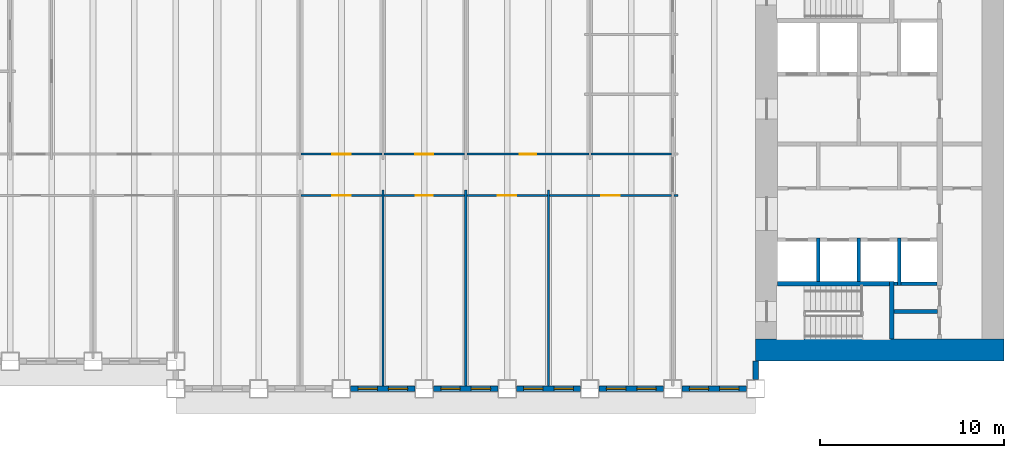
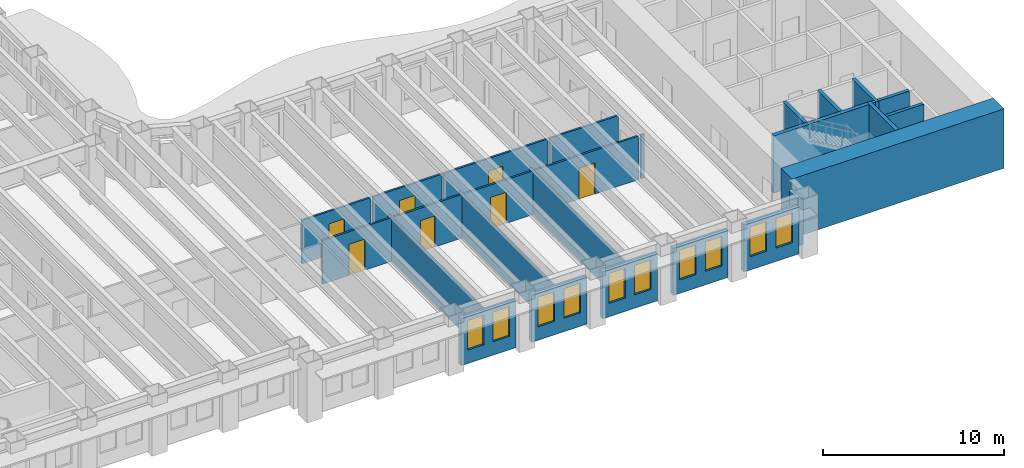
# One storey, part 5 of 16: 27 walls, 10 windows, 7 doors, 17 openings.
"""IFC4 building model written with IfcOpenShell, lengths in metres."""

from ifc_helpers import new_model, si_unit, direction, frame, frame_2d, origin, place, context, subcontext, project, spatial, rectangle, extrude, material, layer, layer_set, type_object, element, fill, save


model = new_model("IFC4")

# Units and contexts
model_context = context("Model", 3, precision=1e-05, world=origin(), true_north=direction((0.0, 1.0)))
body_context = subcontext(model_context, "Body", "Model", "MODEL_VIEW")
ifc_project = project(units=[si_unit("LENGTHUNIT", "METRE"), si_unit("AREAUNIT", "SQUARE_METRE"), si_unit("VOLUMEUNIT", "CUBIC_METRE"), si_unit("PLANEANGLEUNIT", "RADIAN"), si_unit("MASSUNIT", "GRAM", prefix="KILO")], contexts=[model_context])

# Site, building, storey
site_placement = place(None, origin())
site = spatial("IfcSite", under=ifc_project, at=site_placement, CompositionType="ELEMENT")
building_placement = place(site_placement, origin())
building = spatial("IfcBuilding", under=site, at=building_placement, Name="Sennacour Bend Tower", CompositionType="ELEMENT")
storey_placement = place(building_placement, frame((0.0, 0.0, 99.0)))
storey = spatial("IfcBuildingStorey", under=building, at=storey_placement, Name="L22", CompositionType="ELEMENT", Elevation=99.0)

# Walls
ifc_material_1 = material(Name="Concrete C80/95", Category="concrete")
ifc_layer_1 = layer(ifc_material_1, 1.199951171875, Name="Concrete C80/95", Category="concrete")
ifc_layer_set_1 = layer_set([ifc_layer_1], Name="Concrete C80/95")
wall_type_1 = type_object("IfcWallType", Name="Core wall 1200 C80/95", PredefinedType="SHEAR", material=ifc_layer_set_1)
wall_1_placement = place(storey_placement, frame((67.5, 0.60009765625, -0.14990234375), z_axis=(0.0, 0.0, 1.0), x_axis=(-1.0, 0.0, 0.0)))
element("IfcWall", 1, at=wall_1_placement, inside=storey, type_object=wall_type_1, Name="Core A wall L22 S", PredefinedType="SHEAR", context=body_context, shape_type="SweptSolid", body=[
    extrude(rectangle(XDim=13.5, YDim=1.199951171875, at=frame_2d((6.75, 0.0))), origin(), (0.0, 0.0, 1.0), 4.0),
])
ifc_material_2 = material(Name="Plasterboard partition on steel studs", Category="steel")
ifc_layer_2 = layer(ifc_material_2, 0.1201171875, Name="Plasterboard partition on steel studs", Category="steel")
ifc_layer_set_2 = layer_set([ifc_layer_2], Name="Plasterboard partition on steel studs")
wall_type_2 = type_object("IfcWallType", Name="Partition 120", PredefinedType="PARTITIONING", material=ifc_layer_set_2)
for number, where, z_axis, x_axis, name in (
    (2, (33.75, -1.35009765625, 0.0), (0.0, 0.0, 1.0), (0.0, 1.0, 0.0), "P-L22-W027a"),
    (3, (38.25, -1.35009765625, 0.0), (0.0, 0.0, 1.0), (0.0, 1.0, 0.0), "P-L22-W029a"),
    (4, (42.75, -1.35009765625, 0.0), (0.0, 0.0, 1.0), (0.0, 1.0, 0.0), "P-L22-W031a"),
):
    element("IfcWall", number, at=place(storey_placement, frame(where, z_axis=z_axis, x_axis=x_axis)), inside=storey, type_object=wall_type_2, Name=name, PredefinedType="PARTITIONING", context=body_context, shape_type="SweptSolid", body=[
        extrude(rectangle(XDim=10.650146484375, YDim=0.1201171875, at=frame_2d((5.3251953125, 0.0))), origin(), (0.0, 0.0, 1.0), 2.93798828125),
    ])

# Wall, opening, door
wall_2_placement = place(storey_placement, frame((29.31005859375, 9.0, 0.0), z_axis=(0.0, 0.0, 1.0), x_axis=(1.0, 0.0, 0.0)))
wall_2 = element("IfcWall", 5, at=wall_2_placement, inside=storey, type_object=wall_type_2, Name="P-L22-W058ae", PredefinedType="PARTITIONING", context=body_context, shape_type="SweptSolid", body=[
    extrude(rectangle(XDim=4.3798828125, YDim=0.1201171875, at=frame_2d((2.18994140625, 0.0))), origin(), (0.0, 0.0, 1.0), 2.93798828125),
])
opening_1_placement = place(wall_2_placement, frame((1.68994140625, 0.0, 0.0)))
opening_1 = element("IfcOpeningElement", 6, at=opening_1_placement, cuts=wall_2, Name="Opening MD2", PredefinedType="OPENING", context=body_context, shape_type="SweptSolid", body=[
    extrude(rectangle(XDim=1.0, YDim=2.10009765625, at=frame_2d((0.5, 1.050048828125))), frame((0.0, 0.070068359375, 0.0), z_axis=(0.0, -1.0, 0.0), x_axis=(1.0, 0.0, 0.0)), (0.0, 0.0, 1.0), 0.14013671875),
])
ifc_material_3 = material(Name="Timber", Category="wood")
door_type_1 = type_object("IfcDoorType", Name="DR-MEETING-1000", OperationType="NOTDEFINED", PredefinedType="DOOR", material=ifc_material_3)
door_1_placement = place(opening_1_placement, origin())
door_1 = element("IfcDoor", 7, at=door_1_placement, inside=storey, type_object=door_type_1, Name="Door", OperationType="SINGLE_SWING_LEFT", OverallHeight=2.10009765625, OverallWidth=1.0, PredefinedType="DOOR", context=body_context, shape_type="SweptSolid", body=[
    extrude(rectangle(XDim=1.0, YDim=2.10009765625, at=frame_2d((0.5, 1.050048828125))), frame((0.0, 0.02490234375, 0.0), z_axis=(0.0, -1.0, 0.0), x_axis=(1.0, 0.0, 0.0)), (0.0, 0.0, 1.0), 0.050048828125),
])
fill(opening_1, door_1)

wall_3_placement = place(storey_placement, frame((38.31005859375, 9.0, 0.0), z_axis=(0.0, 0.0, 1.0), x_axis=(1.0, 0.0, 0.0)))
wall_3 = element("IfcWall", 8, at=wall_3_placement, inside=storey, type_object=wall_type_2, Name="P-L22-W058ag", PredefinedType="PARTITIONING", context=body_context, shape_type="SweptSolid", body=[
    extrude(rectangle(XDim=4.3798828125, YDim=0.1201171875, at=frame_2d((2.18994140625, 0.0))), origin(), (0.0, 0.0, 1.0), 2.93798828125),
])
opening_2_placement = place(wall_3_placement, frame((1.68994140625, 0.0, 0.0)))
opening_2 = element("IfcOpeningElement", 9, at=opening_2_placement, cuts=wall_3, Name="Opening OD2", PredefinedType="OPENING", context=body_context, shape_type="SweptSolid", body=[
    extrude(rectangle(XDim=1.0, YDim=2.10009765625, at=frame_2d((0.5, 1.050048828125))), frame((0.0, 0.070068359375, 0.0), z_axis=(0.0, -1.0, 0.0), x_axis=(1.0, 0.0, 0.0)), (0.0, 0.0, 1.0), 0.14013671875),
])
door_type_2 = type_object("IfcDoorType", Name="DR-OFFICE-1000", OperationType="NOTDEFINED", PredefinedType="DOOR", material=ifc_material_3)
door_2_placement = place(opening_2_placement, origin())
door_2 = element("IfcDoor", 10, at=door_2_placement, inside=storey, type_object=door_type_2, Name="Door", OperationType="SINGLE_SWING_LEFT", OverallHeight=2.10009765625, OverallWidth=1.0, PredefinedType="DOOR", context=body_context, shape_type="SweptSolid", body=[
    extrude(rectangle(XDim=1.0, YDim=2.10009765625, at=frame_2d((0.5, 1.050048828125))), frame((0.0, 0.02490234375, 0.0), z_axis=(0.0, -1.0, 0.0), x_axis=(1.0, 0.0, 0.0)), (0.0, 0.0, 1.0), 0.050048828125),
])
fill(opening_2, door_2)

wall_4_placement = place(storey_placement, frame((42.81005859375, 9.0, 0.0), z_axis=(0.0, 0.0, 1.0), x_axis=(1.0, 0.0, 0.0)))
wall_4 = element("IfcWall", 11, at=wall_4_placement, inside=storey, type_object=wall_type_2, Name="P-L22-W058ah", PredefinedType="PARTITIONING", context=body_context, shape_type="SweptSolid", body=[
    extrude(rectangle(XDim=6.6298828125, YDim=0.1201171875, at=frame_2d((3.31494140625, 0.0))), origin(), (0.0, 0.0, 1.0), 2.93798828125),
])
opening_3_placement = place(wall_4_placement, frame((2.81494140625, 0.0, 0.0)))
opening_3 = element("IfcOpeningElement", 12, at=opening_3_placement, cuts=wall_4, Name="Opening OD2", PredefinedType="OPENING", context=body_context, shape_type="SweptSolid", body=[
    extrude(rectangle(XDim=1.0, YDim=2.10009765625, at=frame_2d((0.5, 1.050048828125))), frame((0.0, 0.070068359375, 0.0), z_axis=(0.0, -1.0, 0.0), x_axis=(1.0, 0.0, 0.0)), (0.0, 0.0, 1.0), 0.14013671875),
])
door_3_placement = place(opening_3_placement, origin())
door_3 = element("IfcDoor", 13, at=door_3_placement, inside=storey, type_object=door_type_2, Name="Door", OperationType="SINGLE_SWING_LEFT", OverallHeight=2.10009765625, OverallWidth=1.0, PredefinedType="DOOR", context=body_context, shape_type="SweptSolid", body=[
    extrude(rectangle(XDim=1.0, YDim=2.10009765625, at=frame_2d((0.5, 1.050048828125))), frame((0.0, 0.02490234375, 0.0), z_axis=(0.0, -1.0, 0.0), x_axis=(1.0, 0.0, 0.0)), (0.0, 0.0, 1.0), 0.050048828125),
])
fill(opening_3, door_3)

# Wall
wall_5_placement = place(storey_placement, frame((49.56005859375, 9.0, 0.0), z_axis=(0.0, 0.0, 1.0), x_axis=(1.0, 0.0, 0.0)))
element("IfcWall", 14, at=wall_5_placement, inside=storey, type_object=wall_type_2, Name="P-L22-W058ai", PredefinedType="PARTITIONING", context=body_context, shape_type="SweptSolid", body=[
    extrude(rectangle(XDim=0.239990234375, YDim=0.1201171875, at=frame_2d((0.1201171875, 0.0))), origin(), (0.0, 0.0, 1.0), 2.93798828125),
])

# Wall, opening, door
wall_6_placement = place(storey_placement, frame((29.31005859375, 11.25, 0.0), z_axis=(0.0, 0.0, 1.0), x_axis=(1.0, 0.0, 0.0)))
wall_6 = element("IfcWall", 15, at=wall_6_placement, inside=storey, type_object=wall_type_2, Name="P-L22-W060ad", PredefinedType="PARTITIONING", context=body_context, shape_type="SweptSolid", body=[
    extrude(rectangle(XDim=4.3798828125, YDim=0.1201171875, at=frame_2d((2.18994140625, 0.0))), origin(), (0.0, 0.0, 1.0), 2.93798828125),
])
opening_4_placement = place(wall_6_placement, frame((1.68994140625, 0.0, 0.0)))
opening_4 = element("IfcOpeningElement", 16, at=opening_4_placement, cuts=wall_6, Name="Opening OD2", PredefinedType="OPENING", context=body_context, shape_type="SweptSolid", body=[
    extrude(rectangle(XDim=1.0, YDim=2.10009765625, at=frame_2d((0.5, 1.050048828125))), frame((0.0, 0.070068359375, 0.0), z_axis=(0.0, -1.0, 0.0), x_axis=(1.0, 0.0, 0.0)), (0.0, 0.0, 1.0), 0.14013671875),
])
door_4_placement = place(opening_4_placement, origin())
door_4 = element("IfcDoor", 17, at=door_4_placement, inside=storey, type_object=door_type_2, Name="Door", OperationType="SINGLE_SWING_LEFT", OverallHeight=2.10009765625, OverallWidth=1.0, PredefinedType="DOOR", context=body_context, shape_type="SweptSolid", body=[
    extrude(rectangle(XDim=1.0, YDim=2.10009765625, at=frame_2d((0.5, 1.050048828125))), frame((0.0, 0.02490234375, 0.0), z_axis=(0.0, -1.0, 0.0), x_axis=(1.0, 0.0, 0.0)), (0.0, 0.0, 1.0), 0.050048828125),
])
fill(opening_4, door_4)

wall_7_placement = place(storey_placement, frame((33.81005859375, 11.25, 0.0), z_axis=(0.0, 0.0, 1.0), x_axis=(1.0, 0.0, 0.0)))
wall_7 = element("IfcWall", 18, at=wall_7_placement, inside=storey, type_object=wall_type_2, Name="P-L22-W060ae", PredefinedType="PARTITIONING", context=body_context, shape_type="SweptSolid", body=[
    extrude(rectangle(XDim=4.3798828125, YDim=0.1201171875, at=frame_2d((2.18994140625, 0.0))), origin(), (0.0, 0.0, 1.0), 2.93798828125),
])
opening_5_placement = place(wall_7_placement, frame((1.68994140625, 0.0, 0.0)))
opening_5 = element("IfcOpeningElement", 19, at=opening_5_placement, cuts=wall_7, Name="Opening OD2", PredefinedType="OPENING", context=body_context, shape_type="SweptSolid", body=[
    extrude(rectangle(XDim=1.0, YDim=2.10009765625, at=frame_2d((0.5, 1.050048828125))), frame((0.0, 0.070068359375, 0.0), z_axis=(0.0, -1.0, 0.0), x_axis=(1.0, 0.0, 0.0)), (0.0, 0.0, 1.0), 0.14013671875),
])
door_5_placement = place(opening_5_placement, origin())
door_5 = element("IfcDoor", 20, at=door_5_placement, inside=storey, type_object=door_type_2, Name="Door", OperationType="SINGLE_SWING_LEFT", OverallHeight=2.10009765625, OverallWidth=1.0, PredefinedType="DOOR", context=body_context, shape_type="SweptSolid", body=[
    extrude(rectangle(XDim=1.0, YDim=2.10009765625, at=frame_2d((0.5, 1.050048828125))), frame((0.0, 0.02490234375, 0.0), z_axis=(0.0, -1.0, 0.0), x_axis=(1.0, 0.0, 0.0)), (0.0, 0.0, 1.0), 0.050048828125),
])
fill(opening_5, door_5)

# Wall
wall_8_placement = place(storey_placement, frame((45.06005859375, 11.25, 0.0), z_axis=(0.0, 0.0, 1.0), x_axis=(1.0, 0.0, 0.0)))
element("IfcWall", 21, at=wall_8_placement, inside=storey, type_object=wall_type_2, Name="P-L22-W060ag", PredefinedType="PARTITIONING", context=body_context, shape_type="SweptSolid", body=[
    extrude(rectangle(XDim=4.3798828125, YDim=0.1201171875, at=frame_2d((2.18994140625, 0.0))), origin(), (0.0, 0.0, 1.0), 2.93798828125),
])

# Wall, opening, door
ifc_layer_3 = layer(ifc_material_2, 0.1201171875, Name="Plasterboard partition on steel studs", Category="steel")
ifc_layer_set_3 = layer_set([ifc_layer_3], Name="Plasterboard partition on steel studs")
wall_type_3 = type_object("IfcWallType", Name="Partition 120 EI 60", PredefinedType="PARTITIONING", material=ifc_layer_set_3)
wall_9_placement = place(storey_placement, frame((33.81005859375, 9.0, 0.0), z_axis=(0.0, 0.0, 1.0), x_axis=(1.0, 0.0, 0.0)))
wall_9 = element("IfcWall", 22, at=wall_9_placement, inside=storey, type_object=wall_type_3, Name="P-L22-W058af", PredefinedType="PARTITIONING", context=body_context, shape_type="SweptSolid", body=[
    extrude(rectangle(XDim=4.3798828125, YDim=0.1201171875, at=frame_2d((2.18994140625, 0.0))), origin(), (0.0, 0.0, 1.0), 2.93798828125),
])
opening_6_placement = place(wall_9_placement, frame((1.739990234375, 0.0, 0.0)))
opening_6 = element("IfcOpeningElement", 23, at=opening_6_placement, cuts=wall_9, Name="Opening SV", PredefinedType="OPENING", context=body_context, shape_type="SweptSolid", body=[
    extrude(rectangle(XDim=0.89990234375, YDim=2.10009765625, at=frame_2d((0.449951171875, 1.050048828125))), frame((0.0, 0.070068359375, 0.0), z_axis=(0.0, -1.0, 0.0), x_axis=(1.0, 0.0, 0.0)), (0.0, 0.0, 1.0), 0.14013671875),
])
ifc_material_4 = material(Name="Painted steel", Category="steel")
door_type_3 = type_object("IfcDoorType", Name="DR-SERVICE-900", OperationType="NOTDEFINED", PredefinedType="DOOR", material=ifc_material_4)
door_6_placement = place(opening_6_placement, origin())
door_6 = element("IfcDoor", 24, at=door_6_placement, inside=storey, type_object=door_type_3, Name="Door", OperationType="SINGLE_SWING_LEFT", OverallHeight=2.10009765625, OverallWidth=0.89990234375, PredefinedType="DOOR", context=body_context, shape_type="SweptSolid", body=[
    extrude(rectangle(XDim=0.89990234375, YDim=2.10009765625, at=frame_2d((0.449951171875, 1.050048828125))), frame((0.0, 0.02490234375, 0.0), z_axis=(0.0, -1.0, 0.0), x_axis=(1.0, 0.0, 0.0)), (0.0, 0.0, 1.0), 0.050048828125),
])
fill(opening_6, door_6)

wall_10_placement = place(storey_placement, frame((38.31005859375, 11.25, 0.0), z_axis=(0.0, 0.0, 1.0), x_axis=(1.0, 0.0, 0.0)))
wall_10 = element("IfcWall", 25, at=wall_10_placement, inside=storey, type_object=wall_type_3, Name="P-L22-W060af", PredefinedType="PARTITIONING", context=body_context, shape_type="SweptSolid", body=[
    extrude(rectangle(XDim=6.6298828125, YDim=0.1201171875, at=frame_2d((3.31494140625, 0.0))), origin(), (0.0, 0.0, 1.0), 2.93798828125),
])
opening_7_placement = place(wall_10_placement, frame((2.864990234375, 0.0, 0.0)))
opening_7 = element("IfcOpeningElement", 26, at=opening_7_placement, cuts=wall_10, Name="Opening SV", PredefinedType="OPENING", context=body_context, shape_type="SweptSolid", body=[
    extrude(rectangle(XDim=0.89990234375, YDim=2.10009765625, at=frame_2d((0.449951171875, 1.050048828125))), frame((0.0, 0.070068359375, 0.0), z_axis=(0.0, -1.0, 0.0), x_axis=(1.0, 0.0, 0.0)), (0.0, 0.0, 1.0), 0.14013671875),
])
door_7_placement = place(opening_7_placement, origin())
door_7 = element("IfcDoor", 27, at=door_7_placement, inside=storey, type_object=door_type_3, Name="Door", OperationType="SINGLE_SWING_LEFT", OverallHeight=2.10009765625, OverallWidth=0.89990234375, PredefinedType="DOOR", context=body_context, shape_type="SweptSolid", body=[
    extrude(rectangle(XDim=0.89990234375, YDim=2.10009765625, at=frame_2d((0.449951171875, 1.050048828125))), frame((0.0, 0.02490234375, 0.0), z_axis=(0.0, -1.0, 0.0), x_axis=(1.0, 0.0, 0.0)), (0.0, 0.0, 1.0), 0.050048828125),
])
fill(opening_7, door_7)

# Wall
ifc_material_5 = material(Name="Fire-rated plasterboard partition on steel studs", Category="steel")
ifc_layer_4 = layer(ifc_material_5, 0.199951171875, Name="Fire-rated plasterboard partition on steel studs", Category="steel")
ifc_layer_set_4 = layer_set([ifc_layer_4], Name="Fire-rated plasterboard partition on steel studs")
wall_type_4 = type_object("IfcWallType", Name="Rated partition 200", PredefinedType="PARTITIONING", material=ifc_layer_set_4)
wall_11_placement = place(storey_placement, frame((61.52490234375, 2.699951171875, 0.0), z_axis=(0.0, 0.0, 1.0), x_axis=(1.0, 0.0, 0.0)))
element("IfcWall", 28, at=wall_11_placement, inside=storey, type_object=wall_type_4, Name="P-L22-W051", PredefinedType="PARTITIONING", context=body_context, shape_type="SweptSolid", body=[
    extrude(rectangle(XDim=2.375, YDim=0.199951171875, at=frame_2d((1.1875, 0.0))), origin(), (0.0, 0.0, 1.0), 3.85009765625),
])

# Wall, openings, windows
ifc_material_6 = material(Name="Warm limestone cladding", Category="masonry")
ifc_layer_5 = layer(ifc_material_6, 0.050048828125, Name="Warm limestone cladding", Category="masonry")
ifc_material_7 = material(Name="Precast concrete C40/50", Category="concrete")
ifc_layer_6 = layer(ifc_material_7, 0.25, Name="Precast concrete C40/50", Category="concrete")
ifc_layer_set_5 = layer_set([ifc_layer_5, ifc_layer_6], Name="Precast concrete C40/50 with limestone cladding")
wall_type_5 = type_object("IfcWallType", Name="STONE-CLAD PRECAST SPANDREL 300", PredefinedType="STANDARD", material=ifc_layer_set_5)
wall_12_placement = place(storey_placement, frame((32.0, -1.5, 0.0), z_axis=(0.0, 0.0, 1.0), x_axis=(1.0, 0.0, 0.0)))
wall_12 = element("IfcWall", 29, at=wall_12_placement, inside=storey, type_object=wall_type_5, Name="Stone spandrel and pier wall L22 00.02", PredefinedType="STANDARD", context=body_context, shape_type="SweptSolid", body=[
    extrude(rectangle(XDim=3.5, YDim=0.300048828125, at=frame_2d((1.75, 0.0))), origin(), (0.0, 0.0, 1.0), 3.154052734375),
])
opening_8_placement = place(wall_12_placement, frame((0.39990234375, 0.0, 0.89990234375)))
opening_8 = element("IfcOpeningElement", 30, at=opening_8_placement, cuts=wall_12, Name="Opening W13", PredefinedType="OPENING", context=body_context, shape_type="SweptSolid", body=[
    extrude(rectangle(XDim=1.050048828125, YDim=2.0, at=frame_2d((0.52490234375, 1.0))), frame((0.0, 0.16015625, 0.0), z_axis=(0.0, -1.0, 0.0), x_axis=(1.0, 0.0, 0.0)), (0.0, 0.0, 1.0), 0.320068359375),
])
opening_9_placement = place(wall_12_placement, frame((2.050048828125, 0.0, 0.89990234375)))
opening_9 = element("IfcOpeningElement", 31, at=opening_9_placement, cuts=wall_12, Name="Opening W13", PredefinedType="OPENING", context=body_context, shape_type="SweptSolid", body=[
    extrude(rectangle(XDim=1.050048828125, YDim=2.0, at=frame_2d((0.52490234375, 1.0))), frame((0.0, 0.16015625, 0.0), z_axis=(0.0, -1.0, 0.0), x_axis=(1.0, 0.0, 0.0)), (0.0, 0.0, 1.0), 0.320068359375),
])
ifc_material_8 = material(Name="Clear low-emissivity glass", Category="glass")
window_type = type_object("IfcWindowType", Name="WIN-RIBBON-1050x2000", PartitioningType="SINGLE_PANEL", PredefinedType="WINDOW", material=ifc_material_8)
window_1_placement = place(opening_8_placement, origin())
window_1 = element("IfcWindow", 32, at=window_1_placement, inside=storey, type_object=window_type, Name="Ribbon window L22 00.02.0", OverallHeight=2.0, OverallWidth=1.050048828125, PartitioningType="SINGLE_PANEL", PredefinedType="WINDOW", context=body_context, shape_type="SweptSolid", body=[
    extrude(rectangle(XDim=1.050048828125, YDim=2.0, at=frame_2d((0.52490234375, 1.0))), frame((0.0, 0.030029296875, 0.0), z_axis=(0.0, -1.0, 0.0), x_axis=(1.0, 0.0, 0.0)), (0.0, 0.0, 1.0), 0.06005859375),
])
fill(opening_8, window_1)
window_2_placement = place(opening_9_placement, origin())
window_2 = element("IfcWindow", 33, at=window_2_placement, inside=storey, type_object=window_type, Name="Ribbon window L22 00.02.1", OverallHeight=2.0, OverallWidth=1.050048828125, PartitioningType="SINGLE_PANEL", PredefinedType="WINDOW", context=body_context, shape_type="SweptSolid", body=[
    extrude(rectangle(XDim=1.050048828125, YDim=2.0, at=frame_2d((0.52490234375, 1.0))), frame((0.0, 0.030029296875, 0.0), z_axis=(0.0, -1.0, 0.0), x_axis=(1.0, 0.0, 0.0)), (0.0, 0.0, 1.0), 0.06005859375),
])
fill(opening_9, window_2)

wall_13_placement = place(storey_placement, frame((36.5, -1.5, 0.0), z_axis=(0.0, 0.0, 1.0), x_axis=(1.0, 0.0, 0.0)))
wall_13 = element("IfcWall", 34, at=wall_13_placement, inside=storey, type_object=wall_type_5, Name="Stone spandrel and pier wall L22 00.03", PredefinedType="STANDARD", context=body_context, shape_type="SweptSolid", body=[
    extrude(rectangle(XDim=3.5, YDim=0.300048828125, at=frame_2d((1.75, 0.0))), origin(), (0.0, 0.0, 1.0), 3.154052734375),
])
opening_10_placement = place(wall_13_placement, frame((0.39990234375, 0.0, 0.89990234375)))
opening_10 = element("IfcOpeningElement", 35, at=opening_10_placement, cuts=wall_13, Name="Opening W13", PredefinedType="OPENING", context=body_context, shape_type="SweptSolid", body=[
    extrude(rectangle(XDim=1.050048828125, YDim=2.0, at=frame_2d((0.52490234375, 1.0))), frame((0.0, 0.16015625, 0.0), z_axis=(0.0, -1.0, 0.0), x_axis=(1.0, 0.0, 0.0)), (0.0, 0.0, 1.0), 0.320068359375),
])
opening_11_placement = place(wall_13_placement, frame((2.050048828125, 0.0, 0.89990234375)))
opening_11 = element("IfcOpeningElement", 36, at=opening_11_placement, cuts=wall_13, Name="Opening W13", PredefinedType="OPENING", context=body_context, shape_type="SweptSolid", body=[
    extrude(rectangle(XDim=1.050048828125, YDim=2.0, at=frame_2d((0.52490234375, 1.0))), frame((0.0, 0.16015625, 0.0), z_axis=(0.0, -1.0, 0.0), x_axis=(1.0, 0.0, 0.0)), (0.0, 0.0, 1.0), 0.320068359375),
])
window_3_placement = place(opening_10_placement, origin())
window_3 = element("IfcWindow", 37, at=window_3_placement, inside=storey, type_object=window_type, Name="Ribbon window L22 00.03.0", OverallHeight=2.0, OverallWidth=1.050048828125, PartitioningType="SINGLE_PANEL", PredefinedType="WINDOW", context=body_context, shape_type="SweptSolid", body=[
    extrude(rectangle(XDim=1.050048828125, YDim=2.0, at=frame_2d((0.52490234375, 1.0))), frame((0.0, 0.030029296875, 0.0), z_axis=(0.0, -1.0, 0.0), x_axis=(1.0, 0.0, 0.0)), (0.0, 0.0, 1.0), 0.06005859375),
])
fill(opening_10, window_3)
window_4_placement = place(opening_11_placement, origin())
window_4 = element("IfcWindow", 38, at=window_4_placement, inside=storey, type_object=window_type, Name="Ribbon window L22 00.03.1", OverallHeight=2.0, OverallWidth=1.050048828125, PartitioningType="SINGLE_PANEL", PredefinedType="WINDOW", context=body_context, shape_type="SweptSolid", body=[
    extrude(rectangle(XDim=1.050048828125, YDim=2.0, at=frame_2d((0.52490234375, 1.0))), frame((0.0, 0.030029296875, 0.0), z_axis=(0.0, -1.0, 0.0), x_axis=(1.0, 0.0, 0.0)), (0.0, 0.0, 1.0), 0.06005859375),
])
fill(opening_11, window_4)

wall_14_placement = place(storey_placement, frame((41.0, -1.5, 0.0), z_axis=(0.0, 0.0, 1.0), x_axis=(1.0, 0.0, 0.0)))
wall_14 = element("IfcWall", 39, at=wall_14_placement, inside=storey, type_object=wall_type_5, Name="Stone spandrel and pier wall L22 00.04", PredefinedType="STANDARD", context=body_context, shape_type="SweptSolid", body=[
    extrude(rectangle(XDim=3.5, YDim=0.300048828125, at=frame_2d((1.75, 0.0))), origin(), (0.0, 0.0, 1.0), 3.154052734375),
])
opening_12_placement = place(wall_14_placement, frame((0.39990234375, 0.0, 0.89990234375)))
opening_12 = element("IfcOpeningElement", 40, at=opening_12_placement, cuts=wall_14, Name="Opening W13", PredefinedType="OPENING", context=body_context, shape_type="SweptSolid", body=[
    extrude(rectangle(XDim=1.050048828125, YDim=2.0, at=frame_2d((0.52490234375, 1.0))), frame((0.0, 0.16015625, 0.0), z_axis=(0.0, -1.0, 0.0), x_axis=(1.0, 0.0, 0.0)), (0.0, 0.0, 1.0), 0.320068359375),
])
opening_13_placement = place(wall_14_placement, frame((2.050048828125, 0.0, 0.89990234375)))
opening_13 = element("IfcOpeningElement", 41, at=opening_13_placement, cuts=wall_14, Name="Opening W13", PredefinedType="OPENING", context=body_context, shape_type="SweptSolid", body=[
    extrude(rectangle(XDim=1.050048828125, YDim=2.0, at=frame_2d((0.52490234375, 1.0))), frame((0.0, 0.16015625, 0.0), z_axis=(0.0, -1.0, 0.0), x_axis=(1.0, 0.0, 0.0)), (0.0, 0.0, 1.0), 0.320068359375),
])
window_5_placement = place(opening_12_placement, origin())
window_5 = element("IfcWindow", 42, at=window_5_placement, inside=storey, type_object=window_type, Name="Ribbon window L22 00.04.0", OverallHeight=2.0, OverallWidth=1.050048828125, PartitioningType="SINGLE_PANEL", PredefinedType="WINDOW", context=body_context, shape_type="SweptSolid", body=[
    extrude(rectangle(XDim=1.050048828125, YDim=2.0, at=frame_2d((0.52490234375, 1.0))), frame((0.0, 0.030029296875, 0.0), z_axis=(0.0, -1.0, 0.0), x_axis=(1.0, 0.0, 0.0)), (0.0, 0.0, 1.0), 0.06005859375),
])
fill(opening_12, window_5)
window_6_placement = place(opening_13_placement, origin())
window_6 = element("IfcWindow", 43, at=window_6_placement, inside=storey, type_object=window_type, Name="Ribbon window L22 00.04.1", OverallHeight=2.0, OverallWidth=1.050048828125, PartitioningType="SINGLE_PANEL", PredefinedType="WINDOW", context=body_context, shape_type="SweptSolid", body=[
    extrude(rectangle(XDim=1.050048828125, YDim=2.0, at=frame_2d((0.52490234375, 1.0))), frame((0.0, 0.030029296875, 0.0), z_axis=(0.0, -1.0, 0.0), x_axis=(1.0, 0.0, 0.0)), (0.0, 0.0, 1.0), 0.06005859375),
])
fill(opening_13, window_6)

wall_15_placement = place(storey_placement, frame((45.5, -1.5, 0.0), z_axis=(0.0, 0.0, 1.0), x_axis=(1.0, 0.0, 0.0)))
wall_15 = element("IfcWall", 44, at=wall_15_placement, inside=storey, type_object=wall_type_5, Name="Stone spandrel and pier wall L22 00.05", PredefinedType="STANDARD", context=body_context, shape_type="SweptSolid", body=[
    extrude(rectangle(XDim=3.5, YDim=0.300048828125, at=frame_2d((1.75, 0.0))), origin(), (0.0, 0.0, 1.0), 3.154052734375),
])
opening_14_placement = place(wall_15_placement, frame((0.39990234375, 0.0, 0.89990234375)))
opening_14 = element("IfcOpeningElement", 45, at=opening_14_placement, cuts=wall_15, Name="Opening W13", PredefinedType="OPENING", context=body_context, shape_type="SweptSolid", body=[
    extrude(rectangle(XDim=1.050048828125, YDim=2.0, at=frame_2d((0.52490234375, 1.0))), frame((0.0, 0.16015625, 0.0), z_axis=(0.0, -1.0, 0.0), x_axis=(1.0, 0.0, 0.0)), (0.0, 0.0, 1.0), 0.320068359375),
])
opening_15_placement = place(wall_15_placement, frame((2.050048828125, 0.0, 0.89990234375)))
opening_15 = element("IfcOpeningElement", 46, at=opening_15_placement, cuts=wall_15, Name="Opening W13", PredefinedType="OPENING", context=body_context, shape_type="SweptSolid", body=[
    extrude(rectangle(XDim=1.050048828125, YDim=2.0, at=frame_2d((0.52490234375, 1.0))), frame((0.0, 0.16015625, 0.0), z_axis=(0.0, -1.0, 0.0), x_axis=(1.0, 0.0, 0.0)), (0.0, 0.0, 1.0), 0.320068359375),
])
window_7_placement = place(opening_14_placement, origin())
window_7 = element("IfcWindow", 47, at=window_7_placement, inside=storey, type_object=window_type, Name="Ribbon window L22 00.05.0", OverallHeight=2.0, OverallWidth=1.050048828125, PartitioningType="SINGLE_PANEL", PredefinedType="WINDOW", context=body_context, shape_type="SweptSolid", body=[
    extrude(rectangle(XDim=1.050048828125, YDim=2.0, at=frame_2d((0.52490234375, 1.0))), frame((0.0, 0.030029296875, 0.0), z_axis=(0.0, -1.0, 0.0), x_axis=(1.0, 0.0, 0.0)), (0.0, 0.0, 1.0), 0.06005859375),
])
fill(opening_14, window_7)
window_8_placement = place(opening_15_placement, origin())
window_8 = element("IfcWindow", 48, at=window_8_placement, inside=storey, type_object=window_type, Name="Ribbon window L22 00.05.1", OverallHeight=2.0, OverallWidth=1.050048828125, PartitioningType="SINGLE_PANEL", PredefinedType="WINDOW", context=body_context, shape_type="SweptSolid", body=[
    extrude(rectangle(XDim=1.050048828125, YDim=2.0, at=frame_2d((0.52490234375, 1.0))), frame((0.0, 0.030029296875, 0.0), z_axis=(0.0, -1.0, 0.0), x_axis=(1.0, 0.0, 0.0)), (0.0, 0.0, 1.0), 0.06005859375),
])
fill(opening_15, window_8)

wall_16_placement = place(storey_placement, frame((50.0, -1.5, 0.0), z_axis=(0.0, 0.0, 1.0), x_axis=(1.0, 0.0, 0.0)))
wall_16 = element("IfcWall", 49, at=wall_16_placement, inside=storey, type_object=wall_type_5, Name="Stone spandrel and pier wall L22 00.06", PredefinedType="STANDARD", context=body_context, shape_type="SweptSolid", body=[
    extrude(rectangle(XDim=3.5, YDim=0.300048828125, at=frame_2d((1.75, 0.0))), origin(), (0.0, 0.0, 1.0), 3.154052734375),
])
opening_16_placement = place(wall_16_placement, frame((0.39990234375, 0.0, 0.89990234375)))
opening_16 = element("IfcOpeningElement", 50, at=opening_16_placement, cuts=wall_16, Name="Opening W13", PredefinedType="OPENING", context=body_context, shape_type="SweptSolid", body=[
    extrude(rectangle(XDim=1.050048828125, YDim=2.0, at=frame_2d((0.52490234375, 1.0))), frame((0.0, 0.16015625, 0.0), z_axis=(0.0, -1.0, 0.0), x_axis=(1.0, 0.0, 0.0)), (0.0, 0.0, 1.0), 0.320068359375),
])
opening_17_placement = place(wall_16_placement, frame((2.050048828125, 0.0, 0.89990234375)))
opening_17 = element("IfcOpeningElement", 51, at=opening_17_placement, cuts=wall_16, Name="Opening W13", PredefinedType="OPENING", context=body_context, shape_type="SweptSolid", body=[
    extrude(rectangle(XDim=1.050048828125, YDim=2.0, at=frame_2d((0.52490234375, 1.0))), frame((0.0, 0.16015625, 0.0), z_axis=(0.0, -1.0, 0.0), x_axis=(1.0, 0.0, 0.0)), (0.0, 0.0, 1.0), 0.320068359375),
])
window_9_placement = place(opening_16_placement, origin())
window_9 = element("IfcWindow", 52, at=window_9_placement, inside=storey, type_object=window_type, Name="Ribbon window L22 00.06.0", OverallHeight=2.0, OverallWidth=1.050048828125, PartitioningType="SINGLE_PANEL", PredefinedType="WINDOW", context=body_context, shape_type="SweptSolid", body=[
    extrude(rectangle(XDim=1.050048828125, YDim=2.0, at=frame_2d((0.52490234375, 1.0))), frame((0.0, 0.030029296875, 0.0), z_axis=(0.0, -1.0, 0.0), x_axis=(1.0, 0.0, 0.0)), (0.0, 0.0, 1.0), 0.06005859375),
])
fill(opening_16, window_9)
window_10_placement = place(opening_17_placement, origin())
window_10 = element("IfcWindow", 53, at=window_10_placement, inside=storey, type_object=window_type, Name="Ribbon window L22 00.06.1", OverallHeight=2.0, OverallWidth=1.050048828125, PartitioningType="SINGLE_PANEL", PredefinedType="WINDOW", context=body_context, shape_type="SweptSolid", body=[
    extrude(rectangle(XDim=1.050048828125, YDim=2.0, at=frame_2d((0.52490234375, 1.0))), frame((0.0, 0.030029296875, 0.0), z_axis=(0.0, -1.0, 0.0), x_axis=(1.0, 0.0, 0.0)), (0.0, 0.0, 1.0), 0.06005859375),
])
fill(opening_17, window_10)

# Walls
wall_17_placement = place(storey_placement, frame((54.0, -1.0, 0.0), z_axis=(0.0, 0.0, 1.0), x_axis=(0.0, 1.0, 0.0)))
element("IfcWall", 54, at=wall_17_placement, inside=storey, type_object=wall_type_5, Name="Stone spandrel and pier wall L22 01.00", PredefinedType="STANDARD", context=body_context, shape_type="SweptSolid", body=[
    extrude(rectangle(XDim=1.0, YDim=0.300048828125, at=frame_2d((0.5, 0.0))), origin(), (0.0, 0.0, 1.0), 3.154052734375),
])
ifc_material_9 = material(Name="Concrete C50/60", Category="concrete")
ifc_layer_7 = layer(ifc_material_9, 0.199951171875, Name="Concrete C50/60", Category="concrete")
ifc_layer_set_6 = layer_set([ifc_layer_7], Name="Concrete C50/60")
wall_type_6 = type_object("IfcWallType", Name="Shaft wall 200", PredefinedType="SOLIDWALL", material=ifc_layer_set_6)
for number, where, z_axis, x_axis, name in (
    (55, (57.39990234375, 4.324951171875, 0.0), (0.0, 0.0, 1.0), (0.0, 1.0, 0.0), "P-L22-W035"),
    (56, (59.60009765625, 4.324951171875, 0.0), (0.0, 0.0, 1.0), (0.0, 1.0, 0.0), "P-L22-W038"),
):
    element("IfcWall", number, at=place(storey_placement, frame(where, z_axis=z_axis, x_axis=x_axis)), inside=storey, type_object=wall_type_6, Name=name, PredefinedType="SOLIDWALL", context=body_context, shape_type="SweptSolid", body=[
        extrude(rectangle(XDim=2.375, YDim=0.199951171875, at=frame_2d((1.1875, 0.0))), origin(), (0.0, 0.0, 1.0), 3.85009765625),
    ])
wall_18_placement = place(storey_placement, frame((61.800048828125, 4.10009765625, 0.0), z_axis=(0.0, 0.0, 1.0), x_axis=(0.0, 1.0, 0.0)))
element("IfcWall", 57, at=wall_18_placement, inside=storey, type_object=wall_type_6, Name="P-L22-W043", PredefinedType="SOLIDWALL", context=body_context, shape_type="SweptSolid", body=[
    extrude(rectangle(XDim=2.599853515625, YDim=0.199951171875, at=frame_2d((1.2998046875, 0.0))), origin(), (0.0, 0.0, 1.0), 3.85009765625),
])
wall_19_placement = place(storey_placement, frame((61.52490234375, 4.199951171875, 0.0), z_axis=(0.0, 0.0, 1.0), x_axis=(1.0, 0.0, 0.0)))
element("IfcWall", 58, at=wall_19_placement, inside=storey, type_object=wall_type_6, Name="P-L22-W056a", PredefinedType="SOLIDWALL", context=body_context, shape_type="SweptSolid", body=[
    extrude(rectangle(XDim=0.175048828125, YDim=0.199951171875, at=frame_2d((0.08740234375, 0.0))), origin(), (0.0, 0.0, 1.0), 3.85009765625),
])
wall_20_placement = place(storey_placement, frame((61.89990234375, 4.199951171875, 0.0), z_axis=(0.0, 0.0, 1.0), x_axis=(1.0, 0.0, 0.0)))
element("IfcWall", 59, at=wall_20_placement, inside=storey, type_object=wall_type_6, Name="P-L22-W056b", PredefinedType="SOLIDWALL", context=body_context, shape_type="SweptSolid", body=[
    extrude(rectangle(XDim=1.9501953125, YDim=0.199951171875, at=frame_2d((0.97509765625, 0.0))), origin(), (0.0, 0.0, 1.0), 3.85009765625),
])
ifc_material_10 = material(Name="Concrete C60/75", Category="concrete")
ifc_layer_8 = layer(ifc_material_10, 0.25, Name="Concrete C60/75", Category="concrete")
ifc_layer_set_7 = layer_set([ifc_layer_8], Name="Concrete C60/75")
wall_type_7 = type_object("IfcWallType", Name="Stair wall 250", PredefinedType="SHEAR", material=ifc_layer_set_7)
wall_21_placement = place(storey_placement, frame((61.39990234375, 1.199951171875, 0.0), z_axis=(0.0, 0.0, 1.0), x_axis=(0.0, 1.0, 0.0)))
element("IfcWall", 60, at=wall_21_placement, inside=storey, type_object=wall_type_7, Name="P-L22-W041", PredefinedType="SHEAR", context=body_context, shape_type="SweptSolid", body=[
    extrude(rectangle(XDim=3.125, YDim=0.25, at=frame_2d((1.5625, 0.0))), origin(), (0.0, 0.0, 1.0), 3.85009765625),
])
wall_22_placement = place(storey_placement, frame((55.199951171875, 4.199951171875, 0.0), z_axis=(0.0, 0.0, 1.0), x_axis=(1.0, 0.0, 0.0)))
element("IfcWall", 61, at=wall_22_placement, inside=storey, type_object=wall_type_7, Name="P-L22-W055", PredefinedType="SHEAR", context=body_context, shape_type="SweptSolid", body=[
    extrude(rectangle(XDim=6.074951171875, YDim=0.25, at=frame_2d((3.03759765625, 0.0))), origin(), (0.0, 0.0, 1.0), 3.85009765625),
])

save(model, "model.ifc")
